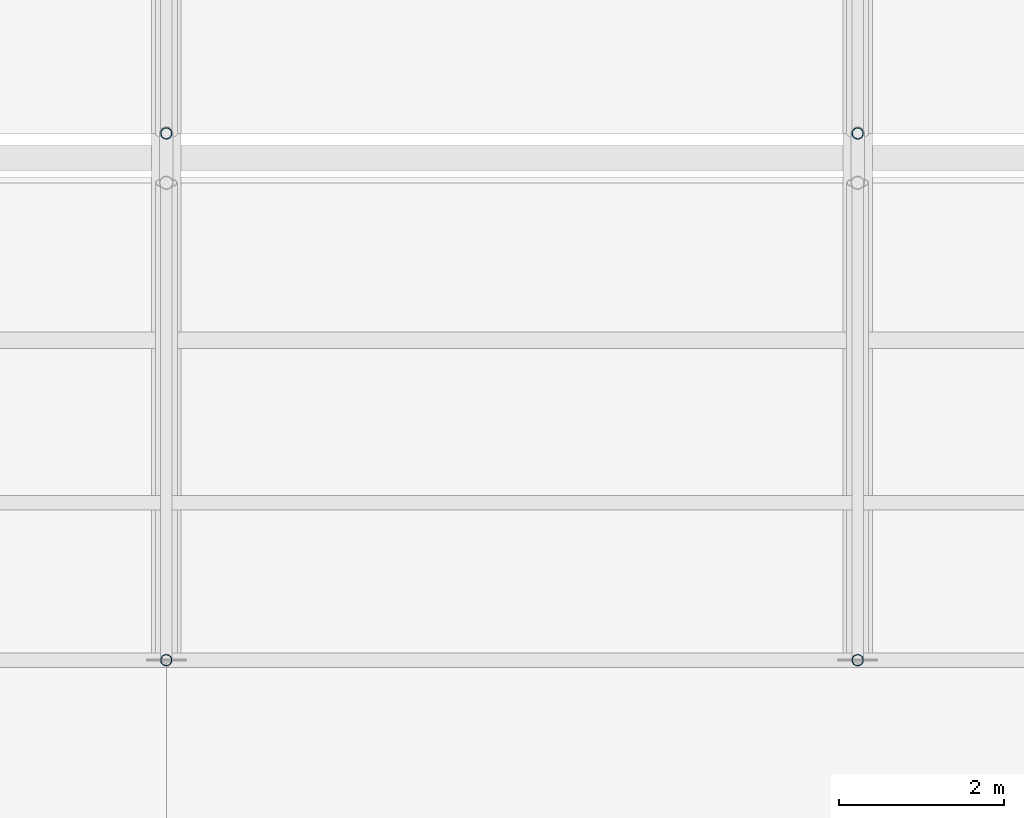
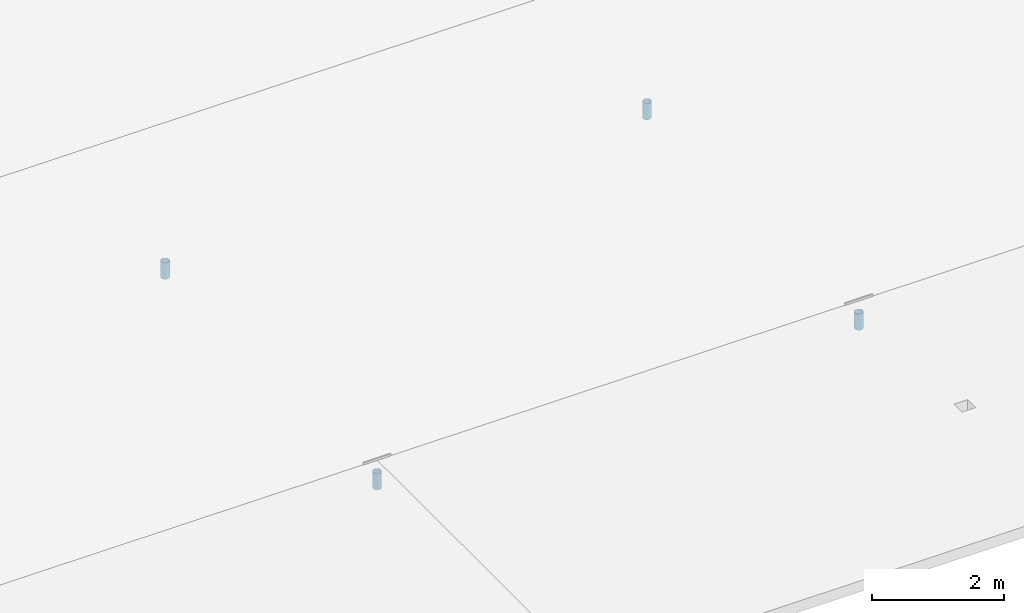
# One storey, part 122 of 194: 4 members.
"""IFC4 building model written with IfcOpenShell, lengths in metres."""

from ifc_helpers import new_model, si_unit, direction, frame, origin, origin_2d, place, context, subcontext, project, spatial, hollow_circle, extrude, material, material_profile, profile_set, type_object, element, save


model = new_model("IFC4")

# Units and contexts
model_context = context("Model", 3, precision=1e-05, world=origin(), true_north=direction((0.0, 1.0)))
body_context = subcontext(model_context, "Body", "Model", "MODEL_VIEW")
ifc_project = project(units=[si_unit("LENGTHUNIT", "METRE"), si_unit("AREAUNIT", "SQUARE_METRE"), si_unit("VOLUMEUNIT", "CUBIC_METRE"), si_unit("PLANEANGLEUNIT", "RADIAN"), si_unit("MASSUNIT", "GRAM", prefix="KILO")], contexts=[model_context])

# Site, building, storey
site_placement = place(None, origin())
site = spatial("IfcSite", under=ifc_project, at=site_placement, CompositionType="ELEMENT")
building_placement = place(site_placement, origin())
building = spatial("IfcBuilding", under=site, at=building_placement, Name="Kazenagashi Tramway Depot", CompositionType="ELEMENT")
storey_placement = place(building_placement, frame((0.0, 0.0, 23.7)))
storey = spatial("IfcBuildingStorey", under=building, at=storey_placement, Name="ROOF", CompositionType="ELEMENT", Elevation=23.7)

# Members
ifc_material = material(Name="Steel STK490", Category="steel")
ifc_material_profile = material_profile(ifc_material, hollow_circle(Radius=0.0699, WallThickness=0.0066, at=origin_2d()), Name="CHS-139.8x6.6")
ifc_profile_set = profile_set([ifc_material_profile], Name="Steel STK490")
member_type = type_object("IfcMemberType", Name="TS-02", PredefinedType="STRUT", material=ifc_profile_set)
for number, where, z_axis, x_axis, name in (
    (1, (112.0, 22.9, -8.9), (0.0, 0.0, 1.0), (1.0, 0.0, 0.0), "Roof Truss TS-02 MEM-1383"),
    (2, (112.0, 29.3, -8.9), (0.0, 0.0, 1.0), (1.0, 0.0, 0.0), "Roof Truss TS-02 MEM-1388"),
    (3, (120.4, 22.9, -8.9), (0.0, 0.0, 1.0), (1.0, 0.0, 0.0), "Roof Truss TS-02 MEM-1412"),
    (4, (120.4, 29.3, -8.9), (0.0, 0.0, 1.0), (1.0, 0.0, 0.0), "Roof Truss TS-02 MEM-1417"),
):
    element("IfcMember", number, at=place(storey_placement, frame(where, z_axis=z_axis, x_axis=x_axis)), inside=storey, type_object=member_type, Name=name, PredefinedType="STRUT", context=body_context, shape_type="SweptSolid", body=[
        extrude(hollow_circle(Radius=0.0699, WallThickness=0.0066, at=origin_2d()), origin(), (0.0, 0.0, 1.0), 0.3),
    ])

save(model, "model.ifc")
